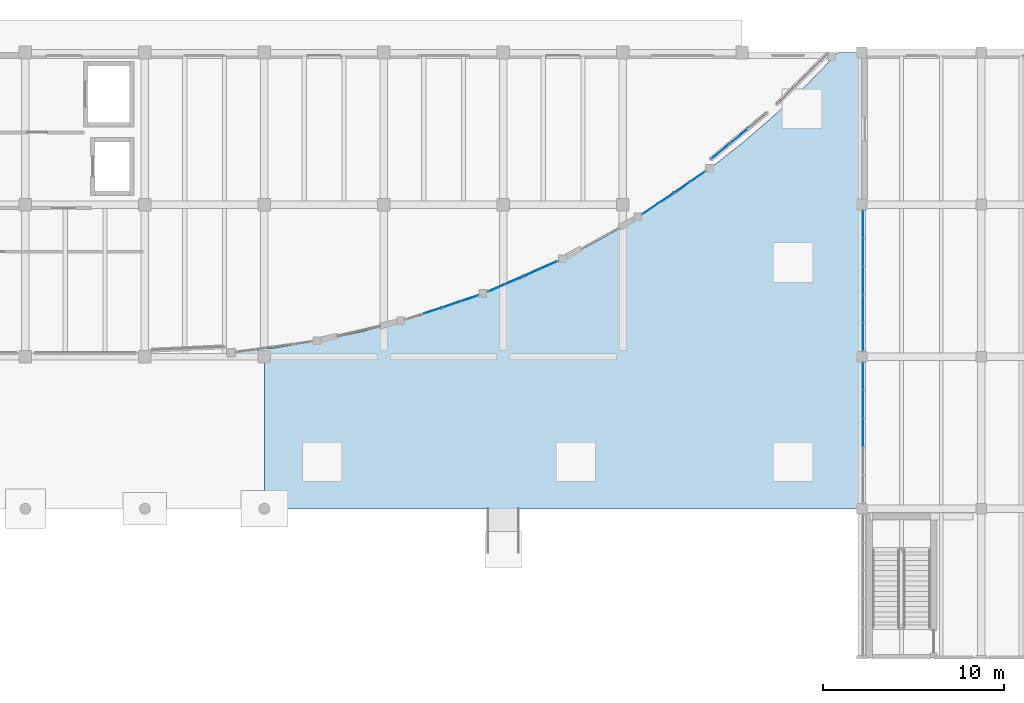
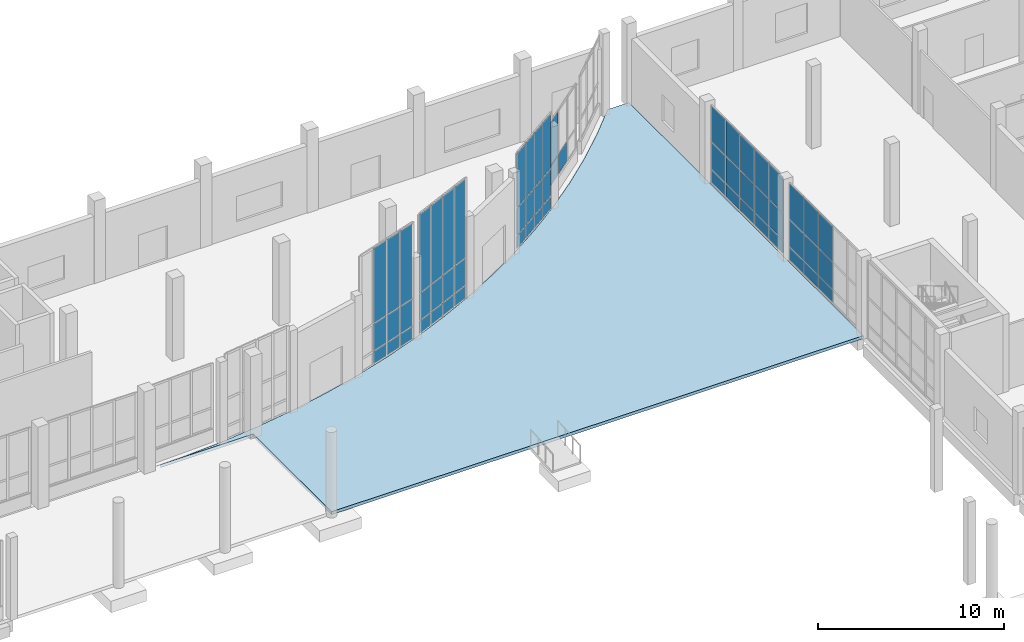
# One storey, part 36 of 64: 60 plates, 1 slab, 6 elements without a shape of their own.
"""IFC4 building model written with IfcOpenShell, lengths in metres."""

from ifc_helpers import new_model, si_unit, direction, frame, origin, origin_2d, place, context, subcontext, project, spatial, polyline, rectangle, outline, extrude, material, layer, layer_set, type_object, element, aggregate, save


model = new_model("IFC4")

# Units and contexts
model_context = context("Model", 3, precision=1e-05, world=origin(), true_north=direction((0.0, 1.0)))
body_context = subcontext(model_context, "Body", "Model", "MODEL_VIEW")
ifc_project = project(units=[si_unit("LENGTHUNIT", "METRE"), si_unit("AREAUNIT", "SQUARE_METRE"), si_unit("VOLUMEUNIT", "CUBIC_METRE"), si_unit("PLANEANGLEUNIT", "RADIAN"), si_unit("MASSUNIT", "GRAM", prefix="KILO")], contexts=[model_context])

# Site, building, storey
site_placement = place(None, origin())
site = spatial("IfcSite", under=ifc_project, at=site_placement, CompositionType="ELEMENT")
building_placement = place(site_placement, origin())
building = spatial("IfcBuilding", under=site, at=building_placement, Name="Qaldarim Faculty of Natural and Applied Sciences", CompositionType="ELEMENT")
storey_placement = place(building_placement, origin())
storey = spatial("IfcBuildingStorey", under=building, at=storey_placement, Name="L00", CompositionType="ELEMENT", Elevation=0.0)

# Slab
ifc_material_1 = material(Name="Concrete C40/50", Category="concrete")
ifc_layer_1 = layer(ifc_material_1, 0.199951171875)
ifc_layer_set_1 = layer_set([ifc_layer_1], Name="Concrete C40/50")
slab_type = type_object("IfcSlabType", Name="ColonnadeDeckSlab-200", PredefinedType="FLOOR", material=ifc_layer_set_1)
slab_placement = place(storey_placement, frame((0.0, 0.0, -0.199951171875)))
element("IfcSlab", 1, at=slab_placement, inside=storey, type_object=slab_type, Name="Arched portal forecourt paving L00 1", PredefinedType="FLOOR", context=body_context, shape_type="SweptSolid", body=[
    extrude(outline(polyline([(151.7900390625, 92.39990234375), (118.81005859375, 92.39990234375), (118.81005859375, 100.804931640625), (113.070068359375, 100.81005859375), (114.590087890625, 100.844970703125), (116.97509765625, 101.010009765625), (119.344970703125, 101.284912109375), (121.705078125, 101.6650390625), (124.044921875, 102.155029296875), (126.364990234375, 102.7548828125), (128.64501953125, 103.4599609375), (130.89501953125, 104.264892578125), (133.10498046875, 105.175048828125), (135.27001953125, 106.18505859375), (137.385009765625, 107.294921875), (139.449951171875, 108.5), (141.455078125, 109.794921875), (143.39990234375, 111.18505859375), (145.280029296875, 112.6650390625), (147.0849609375, 114.22998046875), (148.820068359375, 115.875), (150.485107421875, 117.60009765625), (151.7900390625, 117.60009765625), (151.7900390625, 92.39990234375)])), origin(), (0.0, 0.0, 1.0), 0.199951171875),
])

# Curtain wall, plates
ifc_material_2 = material(Name="Anodised aluminium AW-6063", Category="aluminium")
curtain_wall_type_1 = type_object("IfcCurtainWallType", Name="CurtainWallSystem-M1200", PredefinedType="USERDEFINED", material=ifc_material_2)
curtain_wall_1_placement = place(storey_placement, origin())
curtain_wall_1 = element("IfcCurtainWall", 2, at=curtain_wall_1_placement, inside=storey, type_object=curtain_wall_type_1, Name="Curtain wall CW-PORT-ARCH-3", ObjectType="STICK CURTAIN WALL", PredefinedType="USERDEFINED")
ifc_material_3 = material(Name="Insulated low-e double glazing", Category="glass")
ifc_layer_2 = layer(ifc_material_3, 0.031982421875)
ifc_layer_set_2 = layer_set([ifc_layer_2], Name="Insulated low-e double glazing")
plate_type_1 = type_object("IfcPlateType", Name="SolarControlGlazingPanel-32", PredefinedType="CURTAIN_PANEL", material=ifc_layer_set_2)
plate_1_placement = place(storey_placement, frame((128.117431640625, 103.351318359375, 0.070068359375), z_axis=(0.0, 0.0, 1.0), x_axis=(0.948914568368, 0.315533107517, 0.0)))
plate_1 = element("IfcPlate", 3, at=plate_1_placement, type_object=plate_type_1, Name="Glazed panel 2-1 of CW-PORT-ARCH-3", PredefinedType="CURTAIN_PANEL", context=body_context, shape_type="SweptSolid", body=[
    extrude(rectangle(XDim=0.99951171875, YDim=0.031982421875, at=origin_2d()), origin(), (0.0, 0.0, 1.0), 0.794921875),
])
plate_2_placement = place(storey_placement, frame((128.117431640625, 103.351318359375, 0.93505859375), z_axis=(0.0, 0.0, 1.0), x_axis=(0.948914568368, 0.315533107517, 0.0)))
plate_2 = element("IfcPlate", 4, at=plate_2_placement, type_object=plate_type_1, Name="Glazed panel 2-2 of CW-PORT-ARCH-3", PredefinedType="CURTAIN_PANEL", context=body_context, shape_type="SweptSolid", body=[
    extrude(rectangle(XDim=0.99951171875, YDim=0.031982421875, at=origin_2d()), origin(), (0.0, 0.0, 1.0), 1.72998046875),
])
plate_3_placement = place(storey_placement, frame((128.117431640625, 103.351318359375, 2.735107421875), z_axis=(0.0, 0.0, 1.0), x_axis=(0.948914568368, 0.315533107517, 0.0)))
plate_3 = element("IfcPlate", 5, at=plate_3_placement, type_object=plate_type_1, Name="Glazed panel 2-3 of CW-PORT-ARCH-3", PredefinedType="CURTAIN_PANEL", context=body_context, shape_type="SweptSolid", body=[
    extrude(rectangle(XDim=0.99951171875, YDim=0.031982421875, at=origin_2d()), origin(), (0.0, 0.0, 1.0), 4.89501953125),
])
plate_4_placement = place(storey_placement, frame((129.132568359375, 103.688720703125, 0.070068359375), z_axis=(0.0, 0.0, 1.0), x_axis=(0.948914568368, 0.315533107517, 0.0)))
plate_4 = element("IfcPlate", 6, at=plate_4_placement, type_object=plate_type_1, Name="Glazed panel 3-1 of CW-PORT-ARCH-3", PredefinedType="CURTAIN_PANEL", context=body_context, shape_type="SweptSolid", body=[
    extrude(rectangle(XDim=0.99951171875, YDim=0.031982421875, at=origin_2d()), origin(), (0.0, 0.0, 1.0), 0.794921875),
])
plate_5_placement = place(storey_placement, frame((129.132568359375, 103.688720703125, 0.93505859375), z_axis=(0.0, 0.0, 1.0), x_axis=(0.948914568368, 0.315533107517, 0.0)))
plate_5 = element("IfcPlate", 7, at=plate_5_placement, type_object=plate_type_1, Name="Glazed panel 3-2 of CW-PORT-ARCH-3", PredefinedType="CURTAIN_PANEL", context=body_context, shape_type="SweptSolid", body=[
    extrude(rectangle(XDim=0.99951171875, YDim=0.031982421875, at=origin_2d()), origin(), (0.0, 0.0, 1.0), 1.72998046875),
])
plate_6_placement = place(storey_placement, frame((129.132568359375, 103.688720703125, 2.735107421875), z_axis=(0.0, 0.0, 1.0), x_axis=(0.948914568368, 0.315533107517, 0.0)))
plate_6 = element("IfcPlate", 8, at=plate_6_placement, type_object=plate_type_1, Name="Glazed panel 3-3 of CW-PORT-ARCH-3", PredefinedType="CURTAIN_PANEL", context=body_context, shape_type="SweptSolid", body=[
    extrude(rectangle(XDim=0.99951171875, YDim=0.031982421875, at=origin_2d()), origin(), (0.0, 0.0, 1.0), 4.89501953125),
])
plate_7_placement = place(storey_placement, frame((130.130859375, 104.020751953125, 0.070068359375), z_axis=(0.0, 0.0, 1.0), x_axis=(0.948914568368, 0.315533107517, 0.0)))
plate_7 = element("IfcPlate", 9, at=plate_7_placement, type_object=plate_type_1, Name="Glazed panel 4-1 of CW-PORT-ARCH-3", PredefinedType="CURTAIN_PANEL", context=body_context, shape_type="SweptSolid", body=[
    extrude(rectangle(XDim=0.964599609375, YDim=0.031982421875, at=origin_2d()), origin(), (0.0, 0.0, 1.0), 0.794921875),
])
plate_8_placement = place(storey_placement, frame((130.130859375, 104.020751953125, 0.93505859375), z_axis=(0.0, 0.0, 1.0), x_axis=(0.948914568368, 0.315533107517, 0.0)))
plate_8 = element("IfcPlate", 10, at=plate_8_placement, type_object=plate_type_1, Name="Glazed panel 4-2 of CW-PORT-ARCH-3", PredefinedType="CURTAIN_PANEL", context=body_context, shape_type="SweptSolid", body=[
    extrude(rectangle(XDim=0.964599609375, YDim=0.031982421875, at=origin_2d()), origin(), (0.0, 0.0, 1.0), 1.72998046875),
])
plate_9_placement = place(storey_placement, frame((130.130859375, 104.020751953125, 2.735107421875), z_axis=(0.0, 0.0, 1.0), x_axis=(0.948914568368, 0.315533107517, 0.0)))
plate_9 = element("IfcPlate", 11, at=plate_9_placement, type_object=plate_type_1, Name="Glazed panel 4-3 of CW-PORT-ARCH-3", PredefinedType="CURTAIN_PANEL", context=body_context, shape_type="SweptSolid", body=[
    extrude(rectangle(XDim=0.964599609375, YDim=0.031982421875, at=origin_2d()), origin(), (0.0, 0.0, 1.0), 4.89501953125),
])
aggregate(curtain_wall_1, [plate_1, plate_2, plate_3, plate_4, plate_5, plate_6, plate_7, plate_8, plate_9])

curtain_wall_2_placement = place(storey_placement, origin())
curtain_wall_2 = element("IfcCurtainWall", 12, at=curtain_wall_2_placement, inside=storey, type_object=curtain_wall_type_1, Name="Curtain wall CW-PORT-ARCH-4", ObjectType="STICK CURTAIN WALL", PredefinedType="USERDEFINED")
plate_10_placement = place(storey_placement, frame((131.62548828125, 104.596923828125, 0.070068359375), z_axis=(0.0, 0.0, 1.0), x_axis=(0.915536272537, 0.402235420704, 0.0)))
plate_10 = element("IfcPlate", 13, at=plate_10_placement, type_object=plate_type_1, Name="Glazed panel 1-1 of CW-PORT-ARCH-4", PredefinedType="CURTAIN_PANEL", context=body_context, shape_type="SweptSolid", body=[
    extrude(rectangle(XDim=0.964111328125, YDim=0.031982421875, at=origin_2d()), origin(), (0.0, 0.0, 1.0), 0.794921875),
])
plate_11_placement = place(storey_placement, frame((131.62548828125, 104.596923828125, 0.93505859375), z_axis=(0.0, 0.0, 1.0), x_axis=(0.915536272537, 0.402235420704, 0.0)))
plate_11 = element("IfcPlate", 14, at=plate_11_placement, type_object=plate_type_1, Name="Glazed panel 1-2 of CW-PORT-ARCH-4", PredefinedType="CURTAIN_PANEL", context=body_context, shape_type="SweptSolid", body=[
    extrude(rectangle(XDim=0.964111328125, YDim=0.031982421875, at=origin_2d()), origin(), (0.0, 0.0, 1.0), 1.72998046875),
])
plate_12_placement = place(storey_placement, frame((131.62548828125, 104.596923828125, 2.73486328125), z_axis=(0.0, 0.0, 1.0), x_axis=(0.915536272537, 0.402235420704, 0.0)))
plate_12 = element("IfcPlate", 15, at=plate_12_placement, type_object=plate_type_1, Name="Glazed panel 1-3 of CW-PORT-ARCH-4", PredefinedType="CURTAIN_PANEL", context=body_context, shape_type="SweptSolid", body=[
    extrude(rectangle(XDim=0.964111328125, YDim=0.031982421875, at=origin_2d()), origin(), (0.0, 0.0, 1.0), 5.1201171875),
])
plate_13_placement = place(storey_placement, frame((132.588134765625, 105.02001953125, 0.070068359375), z_axis=(0.0, 0.0, 1.0), x_axis=(0.915536272537, 0.402235420704, 0.0)))
plate_13 = element("IfcPlate", 16, at=plate_13_placement, type_object=plate_type_1, Name="Glazed panel 2-1 of CW-PORT-ARCH-4", PredefinedType="CURTAIN_PANEL", context=body_context, shape_type="SweptSolid", body=[
    extrude(rectangle(XDim=0.9990234375, YDim=0.031982421875, at=origin_2d()), origin(), (0.0, 0.0, 1.0), 0.794921875),
])
plate_14_placement = place(storey_placement, frame((132.588134765625, 105.02001953125, 0.93505859375), z_axis=(0.0, 0.0, 1.0), x_axis=(0.915536272537, 0.402235420704, 0.0)))
plate_14 = element("IfcPlate", 17, at=plate_14_placement, type_object=plate_type_1, Name="Glazed panel 2-2 of CW-PORT-ARCH-4", PredefinedType="CURTAIN_PANEL", context=body_context, shape_type="SweptSolid", body=[
    extrude(rectangle(XDim=0.9990234375, YDim=0.031982421875, at=origin_2d()), origin(), (0.0, 0.0, 1.0), 1.72998046875),
])
plate_15_placement = place(storey_placement, frame((132.588134765625, 105.02001953125, 2.73486328125), z_axis=(0.0, 0.0, 1.0), x_axis=(0.915536272537, 0.402235420704, 0.0)))
plate_15 = element("IfcPlate", 18, at=plate_15_placement, type_object=plate_type_1, Name="Glazed panel 2-3 of CW-PORT-ARCH-4", PredefinedType="CURTAIN_PANEL", context=body_context, shape_type="SweptSolid", body=[
    extrude(rectangle(XDim=0.9990234375, YDim=0.031982421875, at=origin_2d()), origin(), (0.0, 0.0, 1.0), 5.1201171875),
])
plate_16_placement = place(storey_placement, frame((133.56689453125, 105.449951171875, 0.070068359375), z_axis=(0.0, 0.0, 1.0), x_axis=(0.915536272537, 0.402235420704, 0.0)))
plate_16 = element("IfcPlate", 19, at=plate_16_placement, type_object=plate_type_1, Name="Glazed panel 3-1 of CW-PORT-ARCH-4", PredefinedType="CURTAIN_PANEL", context=body_context, shape_type="SweptSolid", body=[
    extrude(rectangle(XDim=0.9990234375, YDim=0.031982421875, at=origin_2d()), origin(), (0.0, 0.0, 1.0), 0.794921875),
])
plate_17_placement = place(storey_placement, frame((133.56689453125, 105.449951171875, 0.93505859375), z_axis=(0.0, 0.0, 1.0), x_axis=(0.915536272537, 0.402235420704, 0.0)))
plate_17 = element("IfcPlate", 20, at=plate_17_placement, type_object=plate_type_1, Name="Glazed panel 3-2 of CW-PORT-ARCH-4", PredefinedType="CURTAIN_PANEL", context=body_context, shape_type="SweptSolid", body=[
    extrude(rectangle(XDim=0.9990234375, YDim=0.031982421875, at=origin_2d()), origin(), (0.0, 0.0, 1.0), 1.72998046875),
])
plate_18_placement = place(storey_placement, frame((133.56689453125, 105.449951171875, 2.73486328125), z_axis=(0.0, 0.0, 1.0), x_axis=(0.915536272537, 0.402235420704, 0.0)))
plate_18 = element("IfcPlate", 21, at=plate_18_placement, type_object=plate_type_1, Name="Glazed panel 3-3 of CW-PORT-ARCH-4", PredefinedType="CURTAIN_PANEL", context=body_context, shape_type="SweptSolid", body=[
    extrude(rectangle(XDim=0.9990234375, YDim=0.031982421875, at=origin_2d()), origin(), (0.0, 0.0, 1.0), 5.1201171875),
])
plate_19_placement = place(storey_placement, frame((134.529541015625, 105.873046875, 0.070068359375), z_axis=(0.0, 0.0, 1.0), x_axis=(0.915536272537, 0.402235420704, 0.0)))
plate_19 = element("IfcPlate", 22, at=plate_19_placement, type_object=plate_type_1, Name="Glazed panel 4-1 of CW-PORT-ARCH-4", PredefinedType="CURTAIN_PANEL", context=body_context, shape_type="SweptSolid", body=[
    extrude(rectangle(XDim=0.964111328125, YDim=0.031982421875, at=origin_2d()), origin(), (0.0, 0.0, 1.0), 0.794921875),
])
plate_20_placement = place(storey_placement, frame((134.529541015625, 105.873046875, 0.93505859375), z_axis=(0.0, 0.0, 1.0), x_axis=(0.915536272537, 0.402235420704, 0.0)))
plate_20 = element("IfcPlate", 23, at=plate_20_placement, type_object=plate_type_1, Name="Glazed panel 4-2 of CW-PORT-ARCH-4", PredefinedType="CURTAIN_PANEL", context=body_context, shape_type="SweptSolid", body=[
    extrude(rectangle(XDim=0.964111328125, YDim=0.031982421875, at=origin_2d()), origin(), (0.0, 0.0, 1.0), 1.72998046875),
])
plate_21_placement = place(storey_placement, frame((134.529541015625, 105.873046875, 2.73486328125), z_axis=(0.0, 0.0, 1.0), x_axis=(0.915536272537, 0.402235420704, 0.0)))
plate_21 = element("IfcPlate", 24, at=plate_21_placement, type_object=plate_type_1, Name="Glazed panel 4-3 of CW-PORT-ARCH-4", PredefinedType="CURTAIN_PANEL", context=body_context, shape_type="SweptSolid", body=[
    extrude(rectangle(XDim=0.964111328125, YDim=0.031982421875, at=origin_2d()), origin(), (0.0, 0.0, 1.0), 5.1201171875),
])
aggregate(curtain_wall_2, [plate_10, plate_11, plate_12, plate_13, plate_14, plate_15, plate_16, plate_17, plate_18, plate_19, plate_20, plate_21])

curtain_wall_3_placement = place(storey_placement, origin())
curtain_wall_3 = element("IfcCurtainWall", 25, at=curtain_wall_3_placement, inside=storey, type_object=curtain_wall_type_1, Name="Curtain wall CW-PORT-ARCH-6", ObjectType="STICK CURTAIN WALL", PredefinedType="USERDEFINED")
plate_22_placement = place(storey_placement, frame((140.10693359375, 108.96044921875, 0.070068359375), z_axis=(0.0, 0.0, 1.0), x_axis=(0.827168855921, 0.561953453405, 0.0)))
plate_22 = element("IfcPlate", 26, at=plate_22_placement, type_object=plate_type_1, Name="Glazed panel 1-1 of CW-PORT-ARCH-6", PredefinedType="CURTAIN_PANEL", context=body_context, shape_type="SweptSolid", body=[
    extrude(rectangle(XDim=0.96484375, YDim=0.031982421875, at=origin_2d()), origin(), (0.0, 0.0, 1.0), 0.794921875),
])
plate_23_placement = place(storey_placement, frame((140.10693359375, 108.96044921875, 0.93505859375), z_axis=(0.0, 0.0, 1.0), x_axis=(0.827168855921, 0.561953453405, 0.0)))
plate_23 = element("IfcPlate", 27, at=plate_23_placement, type_object=plate_type_1, Name="Glazed panel 1-2 of CW-PORT-ARCH-6", PredefinedType="CURTAIN_PANEL", context=body_context, shape_type="SweptSolid", body=[
    extrude(rectangle(XDim=0.96484375, YDim=0.031982421875, at=origin_2d()), origin(), (0.0, 0.0, 1.0), 1.72998046875),
])
plate_24_placement = place(storey_placement, frame((140.10693359375, 108.96044921875, 2.735107421875), z_axis=(0.0, 0.0, 1.0), x_axis=(0.827168855921, 0.561953453405, 0.0)))
plate_24 = element("IfcPlate", 28, at=plate_24_placement, type_object=plate_type_1, Name="Glazed panel 1-3 of CW-PORT-ARCH-6", PredefinedType="CURTAIN_PANEL", context=body_context, shape_type="SweptSolid", body=[
    extrude(rectangle(XDim=0.96484375, YDim=0.031982421875, at=origin_2d()), origin(), (0.0, 0.0, 1.0), 3.544921875),
])
plate_25_placement = place(storey_placement, frame((140.9775390625, 109.552001953125, 0.070068359375), z_axis=(0.0, 0.0, 1.0), x_axis=(0.827168855921, 0.561953453405, 0.0)))
plate_25 = element("IfcPlate", 29, at=plate_25_placement, type_object=plate_type_1, Name="Glazed panel 2-1 of CW-PORT-ARCH-6", PredefinedType="CURTAIN_PANEL", context=body_context, shape_type="SweptSolid", body=[
    extrude(rectangle(XDim=1.0, YDim=0.031982421875, at=origin_2d()), origin(), (0.0, 0.0, 1.0), 0.794921875),
])
plate_26_placement = place(storey_placement, frame((140.9775390625, 109.552001953125, 0.93505859375), z_axis=(0.0, 0.0, 1.0), x_axis=(0.827168855921, 0.561953453405, 0.0)))
plate_26 = element("IfcPlate", 30, at=plate_26_placement, type_object=plate_type_1, Name="Glazed panel 2-2 of CW-PORT-ARCH-6", PredefinedType="CURTAIN_PANEL", context=body_context, shape_type="SweptSolid", body=[
    extrude(rectangle(XDim=1.0, YDim=0.031982421875, at=origin_2d()), origin(), (0.0, 0.0, 1.0), 1.72998046875),
])
plate_27_placement = place(storey_placement, frame((140.9775390625, 109.552001953125, 2.735107421875), z_axis=(0.0, 0.0, 1.0), x_axis=(0.827168855921, 0.561953453405, 0.0)))
plate_27 = element("IfcPlate", 31, at=plate_27_placement, type_object=plate_type_1, Name="Glazed panel 2-3 of CW-PORT-ARCH-6", PredefinedType="CURTAIN_PANEL", context=body_context, shape_type="SweptSolid", body=[
    extrude(rectangle(XDim=1.0, YDim=0.031982421875, at=origin_2d()), origin(), (0.0, 0.0, 1.0), 3.544921875),
])
plate_28_placement = place(storey_placement, frame((141.862548828125, 110.153076171875, 0.070068359375), z_axis=(0.0, 0.0, 1.0), x_axis=(0.827168855921, 0.561953453405, 0.0)))
plate_28 = element("IfcPlate", 32, at=plate_28_placement, type_object=plate_type_1, Name="Glazed panel 3-1 of CW-PORT-ARCH-6", PredefinedType="CURTAIN_PANEL", context=body_context, shape_type="SweptSolid", body=[
    extrude(rectangle(XDim=1.0, YDim=0.031982421875, at=origin_2d()), origin(), (0.0, 0.0, 1.0), 0.794921875),
])
plate_29_placement = place(storey_placement, frame((141.862548828125, 110.153076171875, 0.93505859375), z_axis=(0.0, 0.0, 1.0), x_axis=(0.827168855921, 0.561953453405, 0.0)))
plate_29 = element("IfcPlate", 33, at=plate_29_placement, type_object=plate_type_1, Name="Glazed panel 3-2 of CW-PORT-ARCH-6", PredefinedType="CURTAIN_PANEL", context=body_context, shape_type="SweptSolid", body=[
    extrude(rectangle(XDim=1.0, YDim=0.031982421875, at=origin_2d()), origin(), (0.0, 0.0, 1.0), 1.72998046875),
])
plate_30_placement = place(storey_placement, frame((141.862548828125, 110.153076171875, 2.735107421875), z_axis=(0.0, 0.0, 1.0), x_axis=(0.827168855921, 0.561953453405, 0.0)))
plate_30 = element("IfcPlate", 34, at=plate_30_placement, type_object=plate_type_1, Name="Glazed panel 3-3 of CW-PORT-ARCH-6", PredefinedType="CURTAIN_PANEL", context=body_context, shape_type="SweptSolid", body=[
    extrude(rectangle(XDim=1.0, YDim=0.031982421875, at=origin_2d()), origin(), (0.0, 0.0, 1.0), 3.544921875),
])
plate_31_placement = place(storey_placement, frame((142.73291015625, 110.744384765625, 0.070068359375), z_axis=(0.0, 0.0, 1.0), x_axis=(0.827168855921, 0.561953453405, 0.0)))
plate_31 = element("IfcPlate", 35, at=plate_31_placement, type_object=plate_type_1, Name="Glazed panel 4-1 of CW-PORT-ARCH-6", PredefinedType="CURTAIN_PANEL", context=body_context, shape_type="SweptSolid", body=[
    extrude(rectangle(XDim=0.96484375, YDim=0.031982421875, at=origin_2d()), origin(), (0.0, 0.0, 1.0), 0.794921875),
])
plate_32_placement = place(storey_placement, frame((142.73291015625, 110.744384765625, 0.93505859375), z_axis=(0.0, 0.0, 1.0), x_axis=(0.827168855921, 0.561953453405, 0.0)))
plate_32 = element("IfcPlate", 36, at=plate_32_placement, type_object=plate_type_1, Name="Glazed panel 4-2 of CW-PORT-ARCH-6", PredefinedType="CURTAIN_PANEL", context=body_context, shape_type="SweptSolid", body=[
    extrude(rectangle(XDim=0.96484375, YDim=0.031982421875, at=origin_2d()), origin(), (0.0, 0.0, 1.0), 1.72998046875),
])
plate_33_placement = place(storey_placement, frame((142.73291015625, 110.744384765625, 2.735107421875), z_axis=(0.0, 0.0, 1.0), x_axis=(0.827168855921, 0.561953453405, 0.0)))
plate_33 = element("IfcPlate", 37, at=plate_33_placement, type_object=plate_type_1, Name="Glazed panel 4-3 of CW-PORT-ARCH-6", PredefinedType="CURTAIN_PANEL", context=body_context, shape_type="SweptSolid", body=[
    extrude(rectangle(XDim=0.96484375, YDim=0.031982421875, at=origin_2d()), origin(), (0.0, 0.0, 1.0), 3.544921875),
])
aggregate(curtain_wall_3, [plate_22, plate_23, plate_24, plate_25, plate_26, plate_27, plate_28, plate_29, plate_30, plate_31, plate_32, plate_33])

curtain_wall_type_2 = type_object("IfcCurtainWallType", Name="CurtainWallSystem-M1600", PredefinedType="USERDEFINED", material=ifc_material_2)
curtain_wall_4_placement = place(storey_placement, origin())
curtain_wall_4 = element("IfcCurtainWall", 38, at=curtain_wall_4_placement, inside=storey, type_object=curtain_wall_type_2, Name="Curtain wall CW-L00-W-X24Y12", ObjectType="UNITISED FACADE", PredefinedType="USERDEFINED")
ifc_layer_3 = layer(ifc_material_3, 0.028076171875)
ifc_layer_set_3 = layer_set([ifc_layer_3], Name="Insulated low-e double glazing")
plate_type_2 = type_object("IfcPlateType", Name="VisionGlazingPanel-28", PredefinedType="CURTAIN_PANEL", material=ifc_layer_set_3)
plate_34_placement = place(storey_placement, frame((151.8798828125, 99.708984375, 0.06005859375), z_axis=(0.0, 0.0, 1.0), x_axis=(0.0, -1.0, 0.0)))
plate_34 = element("IfcPlate", 39, at=plate_34_placement, type_object=plate_type_2, Name="Glazed panel 1-1 of CW-L00-W-X24Y12", PredefinedType="CURTAIN_PANEL", context=body_context, shape_type="SweptSolid", body=[
    extrude(rectangle(XDim=1.471923828125, YDim=0.028076171875, at=origin_2d()), origin(), (0.0, 0.0, 1.0), 0.81005859375),
])
plate_35_placement = place(storey_placement, frame((151.8798828125, 99.708984375, 0.93017578125), z_axis=(0.0, 0.0, 1.0), x_axis=(0.0, -1.0, 0.0)))
plate_35 = element("IfcPlate", 40, at=plate_35_placement, type_object=plate_type_2, Name="Glazed panel 1-2 of CW-L00-W-X24Y12", PredefinedType="CURTAIN_PANEL", context=body_context, shape_type="SweptSolid", body=[
    extrude(rectangle(XDim=1.471923828125, YDim=0.028076171875, at=origin_2d()), origin(), (0.0, 0.0, 1.0), 1.739990234375),
])
plate_36_placement = place(storey_placement, frame((151.8798828125, 99.708984375, 2.72998046875), z_axis=(0.0, 0.0, 1.0), x_axis=(0.0, -1.0, 0.0)))
plate_36 = element("IfcPlate", 41, at=plate_36_placement, type_object=plate_type_2, Name="Glazed panel 1-3 of CW-L00-W-X24Y12", PredefinedType="CURTAIN_PANEL", context=body_context, shape_type="SweptSolid", body=[
    extrude(rectangle(XDim=1.471923828125, YDim=0.028076171875, at=origin_2d()), origin(), (0.0, 0.0, 1.0), 2.31005859375),
])
plate_37_placement = place(storey_placement, frame((151.8798828125, 98.162109375, 0.06005859375), z_axis=(0.0, 0.0, 1.0), x_axis=(0.0, -1.0, 0.0)))
plate_37 = element("IfcPlate", 42, at=plate_37_placement, type_object=plate_type_2, Name="Glazed panel 2-1 of CW-L00-W-X24Y12", PredefinedType="CURTAIN_PANEL", context=body_context, shape_type="SweptSolid", body=[
    extrude(rectangle(XDim=1.501953125, YDim=0.028076171875, at=origin_2d()), origin(), (0.0, 0.0, 1.0), 0.81005859375),
])
plate_38_placement = place(storey_placement, frame((151.8798828125, 98.162109375, 0.93017578125), z_axis=(0.0, 0.0, 1.0), x_axis=(0.0, -1.0, 0.0)))
plate_38 = element("IfcPlate", 43, at=plate_38_placement, type_object=plate_type_2, Name="Glazed panel 2-2 of CW-L00-W-X24Y12", PredefinedType="CURTAIN_PANEL", context=body_context, shape_type="SweptSolid", body=[
    extrude(rectangle(XDim=1.501953125, YDim=0.028076171875, at=origin_2d()), origin(), (0.0, 0.0, 1.0), 1.739990234375),
])
plate_39_placement = place(storey_placement, frame((151.8798828125, 98.162109375, 2.72998046875), z_axis=(0.0, 0.0, 1.0), x_axis=(0.0, -1.0, 0.0)))
plate_39 = element("IfcPlate", 44, at=plate_39_placement, type_object=plate_type_2, Name="Glazed panel 2-3 of CW-L00-W-X24Y12", PredefinedType="CURTAIN_PANEL", context=body_context, shape_type="SweptSolid", body=[
    extrude(rectangle(XDim=1.501953125, YDim=0.028076171875, at=origin_2d()), origin(), (0.0, 0.0, 1.0), 2.31005859375),
])
plate_40_placement = place(storey_placement, frame((151.8798828125, 96.60009765625, 0.06005859375), z_axis=(0.0, 0.0, 1.0), x_axis=(0.0, -1.0, 0.0)))
plate_40 = element("IfcPlate", 45, at=plate_40_placement, type_object=plate_type_2, Name="Glazed panel 3-1 of CW-L00-W-X24Y12", PredefinedType="CURTAIN_PANEL", context=body_context, shape_type="SweptSolid", body=[
    extrude(rectangle(XDim=1.501953125, YDim=0.028076171875, at=origin_2d()), origin(), (0.0, 0.0, 1.0), 0.81005859375),
])
plate_41_placement = place(storey_placement, frame((151.8798828125, 96.60009765625, 0.93017578125), z_axis=(0.0, 0.0, 1.0), x_axis=(0.0, -1.0, 0.0)))
plate_41 = element("IfcPlate", 46, at=plate_41_placement, type_object=plate_type_2, Name="Glazed panel 3-2 of CW-L00-W-X24Y12", PredefinedType="CURTAIN_PANEL", context=body_context, shape_type="SweptSolid", body=[
    extrude(rectangle(XDim=1.501953125, YDim=0.028076171875, at=origin_2d()), origin(), (0.0, 0.0, 1.0), 1.739990234375),
])
plate_42_placement = place(storey_placement, frame((151.8798828125, 96.60009765625, 2.72998046875), z_axis=(0.0, 0.0, 1.0), x_axis=(0.0, -1.0, 0.0)))
plate_42 = element("IfcPlate", 47, at=plate_42_placement, type_object=plate_type_2, Name="Glazed panel 3-3 of CW-L00-W-X24Y12", PredefinedType="CURTAIN_PANEL", context=body_context, shape_type="SweptSolid", body=[
    extrude(rectangle(XDim=1.501953125, YDim=0.028076171875, at=origin_2d()), origin(), (0.0, 0.0, 1.0), 2.31005859375),
])
aggregate(curtain_wall_4, [plate_34, plate_35, plate_36, plate_37, plate_38, plate_39, plate_40, plate_41, plate_42])

curtain_wall_5_placement = place(storey_placement, origin())
curtain_wall_5 = element("IfcCurtainWall", 48, at=curtain_wall_5_placement, inside=storey, type_object=curtain_wall_type_2, Name="Curtain wall CW-L00-W-X24Y13", ObjectType="UNITISED FACADE", PredefinedType="USERDEFINED")
plate_43_placement = place(storey_placement, frame((151.8798828125, 108.10888671875, 0.06005859375), z_axis=(0.0, 0.0, 1.0), x_axis=(0.0, -1.0, 0.0)))
plate_43 = element("IfcPlate", 49, at=plate_43_placement, type_object=plate_type_2, Name="Glazed panel 1-1 of CW-L00-W-X24Y13", PredefinedType="CURTAIN_PANEL", context=body_context, shape_type="SweptSolid", body=[
    extrude(rectangle(XDim=1.471923828125, YDim=0.028076171875, at=origin_2d()), origin(), (0.0, 0.0, 1.0), 0.81005859375),
])
plate_44_placement = place(storey_placement, frame((151.8798828125, 108.10888671875, 0.93017578125), z_axis=(0.0, 0.0, 1.0), x_axis=(0.0, -1.0, 0.0)))
plate_44 = element("IfcPlate", 50, at=plate_44_placement, type_object=plate_type_2, Name="Glazed panel 1-2 of CW-L00-W-X24Y13", PredefinedType="CURTAIN_PANEL", context=body_context, shape_type="SweptSolid", body=[
    extrude(rectangle(XDim=1.471923828125, YDim=0.028076171875, at=origin_2d()), origin(), (0.0, 0.0, 1.0), 1.739990234375),
])
plate_45_placement = place(storey_placement, frame((151.8798828125, 108.10888671875, 2.72998046875), z_axis=(0.0, 0.0, 1.0), x_axis=(0.0, -1.0, 0.0)))
plate_45 = element("IfcPlate", 51, at=plate_45_placement, type_object=plate_type_2, Name="Glazed panel 1-3 of CW-L00-W-X24Y13", PredefinedType="CURTAIN_PANEL", context=body_context, shape_type="SweptSolid", body=[
    extrude(rectangle(XDim=1.471923828125, YDim=0.028076171875, at=origin_2d()), origin(), (0.0, 0.0, 1.0), 2.31005859375),
])
plate_46_placement = place(storey_placement, frame((151.8798828125, 106.56201171875, 0.06005859375), z_axis=(0.0, 0.0, 1.0), x_axis=(0.0, -1.0, 0.0)))
plate_46 = element("IfcPlate", 52, at=plate_46_placement, type_object=plate_type_2, Name="Glazed panel 2-1 of CW-L00-W-X24Y13", PredefinedType="CURTAIN_PANEL", context=body_context, shape_type="SweptSolid", body=[
    extrude(rectangle(XDim=1.501953125, YDim=0.028076171875, at=origin_2d()), origin(), (0.0, 0.0, 1.0), 0.81005859375),
])
plate_47_placement = place(storey_placement, frame((151.8798828125, 106.56201171875, 0.93017578125), z_axis=(0.0, 0.0, 1.0), x_axis=(0.0, -1.0, 0.0)))
plate_47 = element("IfcPlate", 53, at=plate_47_placement, type_object=plate_type_2, Name="Glazed panel 2-2 of CW-L00-W-X24Y13", PredefinedType="CURTAIN_PANEL", context=body_context, shape_type="SweptSolid", body=[
    extrude(rectangle(XDim=1.501953125, YDim=0.028076171875, at=origin_2d()), origin(), (0.0, 0.0, 1.0), 1.739990234375),
])
plate_48_placement = place(storey_placement, frame((151.8798828125, 106.56201171875, 2.72998046875), z_axis=(0.0, 0.0, 1.0), x_axis=(0.0, -1.0, 0.0)))
plate_48 = element("IfcPlate", 54, at=plate_48_placement, type_object=plate_type_2, Name="Glazed panel 2-3 of CW-L00-W-X24Y13", PredefinedType="CURTAIN_PANEL", context=body_context, shape_type="SweptSolid", body=[
    extrude(rectangle(XDim=1.501953125, YDim=0.028076171875, at=origin_2d()), origin(), (0.0, 0.0, 1.0), 2.31005859375),
])
plate_49_placement = place(storey_placement, frame((151.8798828125, 105.0, 0.06005859375), z_axis=(0.0, 0.0, 1.0), x_axis=(0.0, -1.0, 0.0)))
plate_49 = element("IfcPlate", 55, at=plate_49_placement, type_object=plate_type_2, Name="Glazed panel 3-1 of CW-L00-W-X24Y13", PredefinedType="CURTAIN_PANEL", context=body_context, shape_type="SweptSolid", body=[
    extrude(rectangle(XDim=1.501953125, YDim=0.028076171875, at=origin_2d()), origin(), (0.0, 0.0, 1.0), 0.81005859375),
])
plate_50_placement = place(storey_placement, frame((151.8798828125, 105.0, 0.93017578125), z_axis=(0.0, 0.0, 1.0), x_axis=(0.0, -1.0, 0.0)))
plate_50 = element("IfcPlate", 56, at=plate_50_placement, type_object=plate_type_2, Name="Glazed panel 3-2 of CW-L00-W-X24Y13", PredefinedType="CURTAIN_PANEL", context=body_context, shape_type="SweptSolid", body=[
    extrude(rectangle(XDim=1.501953125, YDim=0.028076171875, at=origin_2d()), origin(), (0.0, 0.0, 1.0), 1.739990234375),
])
plate_51_placement = place(storey_placement, frame((151.8798828125, 105.0, 2.72998046875), z_axis=(0.0, 0.0, 1.0), x_axis=(0.0, -1.0, 0.0)))
plate_51 = element("IfcPlate", 57, at=plate_51_placement, type_object=plate_type_2, Name="Glazed panel 3-3 of CW-L00-W-X24Y13", PredefinedType="CURTAIN_PANEL", context=body_context, shape_type="SweptSolid", body=[
    extrude(rectangle(XDim=1.501953125, YDim=0.028076171875, at=origin_2d()), origin(), (0.0, 0.0, 1.0), 2.31005859375),
])
plate_52_placement = place(storey_placement, frame((151.8798828125, 103.43798828125, 0.06005859375), z_axis=(0.0, 0.0, 1.0), x_axis=(0.0, -1.0, 0.0)))
plate_52 = element("IfcPlate", 58, at=plate_52_placement, type_object=plate_type_2, Name="Glazed panel 4-1 of CW-L00-W-X24Y13", PredefinedType="CURTAIN_PANEL", context=body_context, shape_type="SweptSolid", body=[
    extrude(rectangle(XDim=1.501953125, YDim=0.028076171875, at=origin_2d()), origin(), (0.0, 0.0, 1.0), 0.81005859375),
])
plate_53_placement = place(storey_placement, frame((151.8798828125, 103.43798828125, 0.93017578125), z_axis=(0.0, 0.0, 1.0), x_axis=(0.0, -1.0, 0.0)))
plate_53 = element("IfcPlate", 59, at=plate_53_placement, type_object=plate_type_2, Name="Glazed panel 4-2 of CW-L00-W-X24Y13", PredefinedType="CURTAIN_PANEL", context=body_context, shape_type="SweptSolid", body=[
    extrude(rectangle(XDim=1.501953125, YDim=0.028076171875, at=origin_2d()), origin(), (0.0, 0.0, 1.0), 1.739990234375),
])
plate_54_placement = place(storey_placement, frame((151.8798828125, 103.43798828125, 2.72998046875), z_axis=(0.0, 0.0, 1.0), x_axis=(0.0, -1.0, 0.0)))
plate_54 = element("IfcPlate", 60, at=plate_54_placement, type_object=plate_type_2, Name="Glazed panel 4-3 of CW-L00-W-X24Y13", PredefinedType="CURTAIN_PANEL", context=body_context, shape_type="SweptSolid", body=[
    extrude(rectangle(XDim=1.501953125, YDim=0.028076171875, at=origin_2d()), origin(), (0.0, 0.0, 1.0), 2.31005859375),
])
plate_55_placement = place(storey_placement, frame((151.8798828125, 101.89111328125, 0.06005859375), z_axis=(0.0, 0.0, 1.0), x_axis=(0.0, -1.0, 0.0)))
plate_55 = element("IfcPlate", 61, at=plate_55_placement, type_object=plate_type_2, Name="Glazed panel 5-1 of CW-L00-W-X24Y13", PredefinedType="CURTAIN_PANEL", context=body_context, shape_type="SweptSolid", body=[
    extrude(rectangle(XDim=1.471923828125, YDim=0.028076171875, at=origin_2d()), origin(), (0.0, 0.0, 1.0), 0.81005859375),
])
plate_56_placement = place(storey_placement, frame((151.8798828125, 101.89111328125, 0.93017578125), z_axis=(0.0, 0.0, 1.0), x_axis=(0.0, -1.0, 0.0)))
plate_56 = element("IfcPlate", 62, at=plate_56_placement, type_object=plate_type_2, Name="Glazed panel 5-2 of CW-L00-W-X24Y13", PredefinedType="CURTAIN_PANEL", context=body_context, shape_type="SweptSolid", body=[
    extrude(rectangle(XDim=1.471923828125, YDim=0.028076171875, at=origin_2d()), origin(), (0.0, 0.0, 1.0), 1.739990234375),
])
plate_57_placement = place(storey_placement, frame((151.8798828125, 101.89111328125, 2.72998046875), z_axis=(0.0, 0.0, 1.0), x_axis=(0.0, -1.0, 0.0)))
plate_57 = element("IfcPlate", 63, at=plate_57_placement, type_object=plate_type_2, Name="Glazed panel 5-3 of CW-L00-W-X24Y13", PredefinedType="CURTAIN_PANEL", context=body_context, shape_type="SweptSolid", body=[
    extrude(rectangle(XDim=1.471923828125, YDim=0.028076171875, at=origin_2d()), origin(), (0.0, 0.0, 1.0), 2.31005859375),
])
aggregate(curtain_wall_5, [plate_43, plate_44, plate_45, plate_46, plate_47, plate_48, plate_49, plate_50, plate_51, plate_52, plate_53, plate_54, plate_55, plate_56, plate_57])

curtain_wall_type_3 = type_object("IfcCurtainWallType", Name="CurtainWallSystem-M1400", PredefinedType="USERDEFINED", material=ifc_material_2)
curtain_wall_6_placement = place(storey_placement, origin())
curtain_wall_6 = element("IfcCurtainWall", 64, at=curtain_wall_6_placement, inside=storey, type_object=curtain_wall_type_3, Name="Curtain wall CW-V4ARC-L00-14", ObjectType="STICK CURTAIN WALL", PredefinedType="USERDEFINED")
plate_58_placement = place(storey_placement, frame((143.9873046875, 112.138671875, 0.91015625), z_axis=(0.0, 0.0, 1.0), x_axis=(0.771746687418, 0.635930067271, 0.0)))
plate_58 = element("IfcPlate", 65, at=plate_58_placement, type_object=plate_type_2, Name="Glazed panel 1-1 of CW-V4ARC-L00-14", PredefinedType="CURTAIN_PANEL", context=body_context, shape_type="SweptSolid", body=[
    extrude(rectangle(XDim=1.259765625, YDim=0.028076171875, at=origin_2d()), origin(), (0.0, 0.0, 1.0), 1.260009765625),
])
plate_59_placement = place(storey_placement, frame((143.9873046875, 112.138671875, 2.22998046875), z_axis=(0.0, 0.0, 1.0), x_axis=(0.771746687418, 0.635930067271, 0.0)))
plate_59 = element("IfcPlate", 66, at=plate_59_placement, type_object=plate_type_2, Name="Glazed panel 1-2 of CW-V4ARC-L00-14", PredefinedType="CURTAIN_PANEL", context=body_context, shape_type="SweptSolid", body=[
    extrude(rectangle(XDim=1.259765625, YDim=0.028076171875, at=origin_2d()), origin(), (0.0, 0.0, 1.0), 2.81005859375),
])
plate_60_placement = place(storey_placement, frame((145.017578125, 112.987548828125, 0.91015625), z_axis=(0.0, 0.0, 1.0), x_axis=(0.771746687418, 0.635930067271, 0.0)))
plate_60 = element("IfcPlate", 67, at=plate_60_placement, type_object=plate_type_2, Name="Glazed panel 2-1 of CW-V4ARC-L00-14", PredefinedType="CURTAIN_PANEL", context=body_context, shape_type="SweptSolid", body=[
    extrude(rectangle(XDim=1.289794921875, YDim=0.028076171875, at=origin_2d()), origin(), (0.0, 0.0, 1.0), 1.260009765625),
])
aggregate(curtain_wall_6, [plate_58, plate_59, plate_60])

save(model, "model.ifc")
